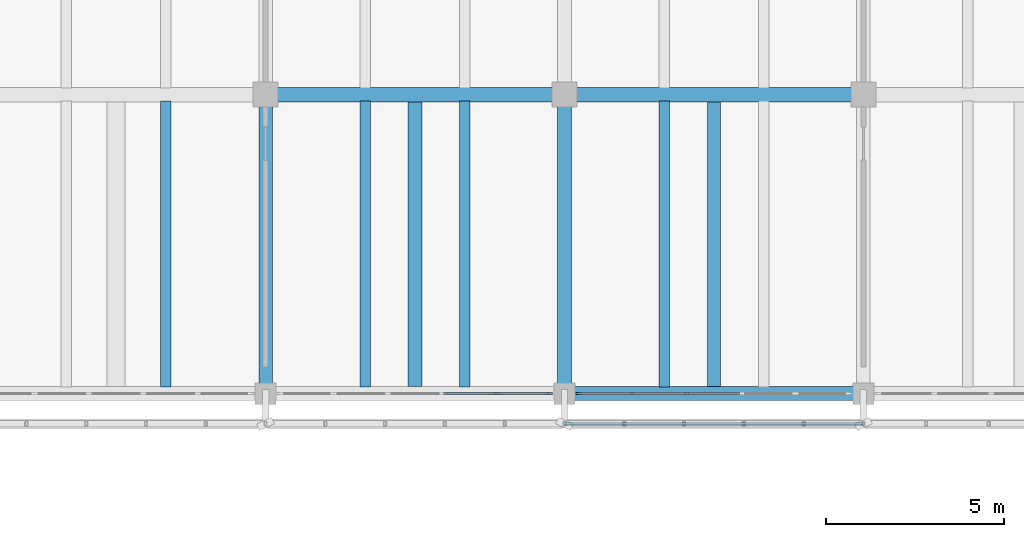
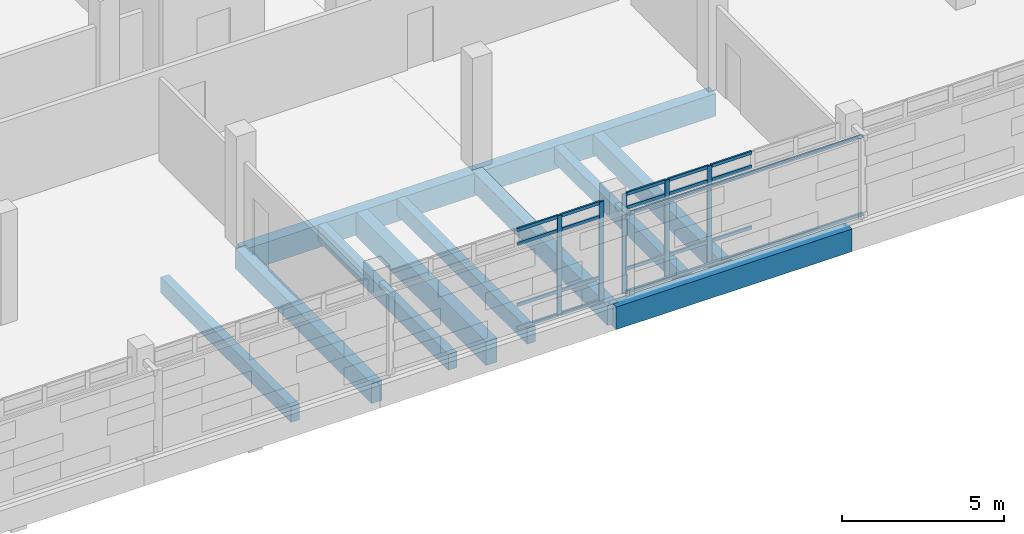
# One storey, part 47 of 137: 27 members, 11 beams, 2 elements without a shape of their own.
"""IFC4 building model written with IfcOpenShell, lengths in metres."""

from ifc_helpers import new_model, si_unit, direction, frame, origin, origin_2d, place, context, subcontext, project, spatial, rectangle, hollow_rectangle, extrude, material, material_profile, profile_set, type_object, element, aggregate, save


model = new_model("IFC4")

# Units and contexts
model_context = context("Model", 3, precision=1e-05, world=origin(), true_north=direction((0.0, 1.0)))
body_context = subcontext(model_context, "Body", "Model", "MODEL_VIEW")
ifc_project = project(units=[si_unit("LENGTHUNIT", "METRE"), si_unit("AREAUNIT", "SQUARE_METRE"), si_unit("VOLUMEUNIT", "CUBIC_METRE"), si_unit("PLANEANGLEUNIT", "RADIAN"), si_unit("MASSUNIT", "GRAM", prefix="KILO")], contexts=[model_context])

# Site, building, storey
site_placement = place(None, origin())
site = spatial("IfcSite", under=ifc_project, at=site_placement, CompositionType="ELEMENT")
building_placement = place(site_placement, origin())
building = spatial("IfcBuilding", under=site, at=building_placement, Name="Cinderway Yard Community Centre", CompositionType="ELEMENT")
storey_placement = place(building_placement, frame((0.0, 0.0, 4.800048828125)))
storey = spatial("IfcBuildingStorey", under=building, at=storey_placement, Name="L01", CompositionType="ELEMENT", Elevation=4.800048828125)

# Curtain wall, members
ifc_material_1 = material(Name="Aluminium 6063-T6", Category="aluminium")
curtain_wall_type = type_object("IfcCurtainWallType", Name="ENV-CW-TYPE-26", PredefinedType="USERDEFINED", material=ifc_material_1)
curtain_wall_1_placement = place(storey_placement, origin())
curtain_wall_1 = element("IfcCurtainWall", 1, at=curtain_wall_1_placement, inside=storey, type_object=curtain_wall_type, Name="V4 Courtyard Curtain Wall ENV-CW-L01-ST-0125", ObjectType="GLAZED CURTAIN WALL", PredefinedType="USERDEFINED")
ifc_material_profile_1 = material_profile(ifc_material_1, rectangle(XDim=0.06005859375, YDim=0.159912109375, at=origin_2d()), Name="Aluminium 6063-T6")
ifc_profile_set_1 = profile_set([ifc_material_profile_1], Name="Aluminium 6063-T6")
member_type_1 = type_object("IfcMemberType", Name="ENV-CW-MULL-150", PredefinedType="MULLION", material=ifc_profile_set_1)
member_1_placement = place(storey_placement, frame((64.89208984375, 90.0, 0.0), z_axis=(0.0, 0.0, 1.0), x_axis=(0.0, 1.0, 0.0)))
member_1 = element("IfcMember", 2, at=member_1_placement, type_object=member_type_1, Name="CW-26 mullion 5", PredefinedType="MULLION", context=body_context, shape_type="SweptSolid", body=[
    extrude(rectangle(XDim=0.06005859375, YDim=0.159912109375, at=origin_2d()), origin(), (0.0, 0.0, 1.0), 3.75),
])
member_2_placement = place(storey_placement, frame((66.389892578125, 90.0, 0.0), z_axis=(0.0, 0.0, 1.0), x_axis=(0.0, 1.0, 0.0)))
member_2 = element("IfcMember", 3, at=member_2_placement, type_object=member_type_1, Name="CW-26 mullion 6", PredefinedType="MULLION", context=body_context, shape_type="SweptSolid", body=[
    extrude(rectangle(XDim=0.06005859375, YDim=0.159912109375, at=origin_2d()), origin(), (0.0, 0.0, 1.0), 3.75),
])

curtain_wall_2_placement = place(storey_placement, origin())
curtain_wall_2 = element("IfcCurtainWall", 4, at=curtain_wall_2_placement, inside=storey, type_object=curtain_wall_type, Name="V4 Courtyard Curtain Wall ENV-CW-L01-ST-0127", ObjectType="GLAZED CURTAIN WALL", PredefinedType="USERDEFINED")
member_3_placement = place(storey_placement, frame((67.2099609375, 90.0, 0.0), z_axis=(0.0, 0.0, 1.0), x_axis=(0.0, 1.0, 0.0)))
member_3 = element("IfcMember", 5, at=member_3_placement, type_object=member_type_1, Name="CW-26 mullion 1", PredefinedType="MULLION", context=body_context, shape_type="SweptSolid", body=[
    extrude(rectangle(XDim=0.06005859375, YDim=0.159912109375, at=origin_2d()), origin(), (0.0, 0.0, 1.0), 3.75),
])
member_4_placement = place(storey_placement, frame((68.7080078125, 90.0, 0.0), z_axis=(0.0, 0.0, 1.0), x_axis=(0.0, 1.0, 0.0)))
member_4 = element("IfcMember", 6, at=member_4_placement, type_object=member_type_1, Name="CW-26 mullion 2", PredefinedType="MULLION", context=body_context, shape_type="SweptSolid", body=[
    extrude(rectangle(XDim=0.06005859375, YDim=0.159912109375, at=origin_2d()), origin(), (0.0, 0.0, 1.0), 3.75),
])
member_5_placement = place(storey_placement, frame((70.236083984375, 90.0, 0.0), z_axis=(0.0, 0.0, 1.0), x_axis=(0.0, 1.0, 0.0)))
member_5 = element("IfcMember", 7, at=member_5_placement, type_object=member_type_1, Name="CW-26 mullion 3", PredefinedType="MULLION", context=body_context, shape_type="SweptSolid", body=[
    extrude(rectangle(XDim=0.06005859375, YDim=0.159912109375, at=origin_2d()), origin(), (0.0, 0.0, 1.0), 3.75),
])

# Member
ifc_material_profile_2 = material_profile(ifc_material_1, rectangle(XDim=0.06005859375, YDim=0.1201171875, at=origin_2d()), Name="Aluminium 6063-T6")
ifc_profile_set_2 = profile_set([ifc_material_profile_2], Name="Aluminium 6063-T6")
member_type_2 = type_object("IfcMemberType", Name="ENV-CW-TRAN-110", PredefinedType="USERDEFINED", material=ifc_profile_set_2)
member_6_placement = place(storey_placement, frame((63.39404296875, 90.0, 0.030029296875), z_axis=(1.0, 0.0, 0.0), x_axis=(0.0, 1.0, 0.0)))
member_6 = element("IfcMember", 8, at=member_6_placement, type_object=member_type_2, Name="CW-26 transom 4.1", ObjectType="TRANSOM", PredefinedType="USERDEFINED", context=body_context, shape_type="SweptSolid", body=[
    extrude(rectangle(XDim=0.06005859375, YDim=0.1201171875, at=origin_2d()), origin(), (0.0, 0.0, 1.0), 1.468017578125),
])

member_7_placement = place(storey_placement, frame((63.39404296875, 90.0, 0.89990234375), z_axis=(1.0, 0.0, 0.0), x_axis=(0.0, 1.0, 0.0)))
member_7 = element("IfcMember", 9, at=member_7_placement, type_object=member_type_2, Name="CW-26 transom 4.2", ObjectType="TRANSOM", PredefinedType="USERDEFINED", context=body_context, shape_type="SweptSolid", body=[
    extrude(rectangle(XDim=0.06005859375, YDim=0.1201171875, at=origin_2d()), origin(), (0.0, 0.0, 1.0), 1.468017578125),
])

member_8_placement = place(storey_placement, frame((63.39404296875, 90.0, 3.199951171875), z_axis=(1.0, 0.0, 0.0), x_axis=(0.0, 1.0, 0.0)))
member_8 = element("IfcMember", 10, at=member_8_placement, type_object=member_type_2, Name="CW-26 transom 4.3", ObjectType="TRANSOM", PredefinedType="USERDEFINED", context=body_context, shape_type="SweptSolid", body=[
    extrude(rectangle(XDim=0.06005859375, YDim=0.1201171875, at=origin_2d()), origin(), (0.0, 0.0, 1.0), 1.468017578125),
])

member_9_placement = place(storey_placement, frame((63.39404296875, 90.0, 3.719970703125), z_axis=(1.0, 0.0, 0.0), x_axis=(0.0, 1.0, 0.0)))
member_9 = element("IfcMember", 11, at=member_9_placement, type_object=member_type_2, Name="CW-26 transom 4.4", ObjectType="TRANSOM", PredefinedType="USERDEFINED", context=body_context, shape_type="SweptSolid", body=[
    extrude(rectangle(XDim=0.06005859375, YDim=0.1201171875, at=origin_2d()), origin(), (0.0, 0.0, 1.0), 1.468017578125),
])

member_10_placement = place(storey_placement, frame((64.922119140625, 90.0, 0.030029296875), z_axis=(1.0, 0.0, 0.0), x_axis=(0.0, 1.0, 0.0)))
member_10 = element("IfcMember", 12, at=member_10_placement, type_object=member_type_2, Name="CW-26 transom 5.1", ObjectType="TRANSOM", PredefinedType="USERDEFINED", context=body_context, shape_type="SweptSolid", body=[
    extrude(rectangle(XDim=0.06005859375, YDim=0.1201171875, at=origin_2d()), origin(), (0.0, 0.0, 1.0), 1.43798828125),
])

member_11_placement = place(storey_placement, frame((64.922119140625, 90.0, 0.89990234375), z_axis=(1.0, 0.0, 0.0), x_axis=(0.0, 1.0, 0.0)))
member_11 = element("IfcMember", 13, at=member_11_placement, type_object=member_type_2, Name="CW-26 transom 5.2", ObjectType="TRANSOM", PredefinedType="USERDEFINED", context=body_context, shape_type="SweptSolid", body=[
    extrude(rectangle(XDim=0.06005859375, YDim=0.1201171875, at=origin_2d()), origin(), (0.0, 0.0, 1.0), 1.43798828125),
])

member_12_placement = place(storey_placement, frame((64.922119140625, 90.0, 3.199951171875), z_axis=(1.0, 0.0, 0.0), x_axis=(0.0, 1.0, 0.0)))
member_12 = element("IfcMember", 14, at=member_12_placement, type_object=member_type_2, Name="CW-26 transom 5.3", ObjectType="TRANSOM", PredefinedType="USERDEFINED", context=body_context, shape_type="SweptSolid", body=[
    extrude(rectangle(XDim=0.06005859375, YDim=0.1201171875, at=origin_2d()), origin(), (0.0, 0.0, 1.0), 1.43798828125),
])

member_13_placement = place(storey_placement, frame((64.922119140625, 90.0, 3.719970703125), z_axis=(1.0, 0.0, 0.0), x_axis=(0.0, 1.0, 0.0)))
member_13 = element("IfcMember", 15, at=member_13_placement, type_object=member_type_2, Name="CW-26 transom 5.4", ObjectType="TRANSOM", PredefinedType="USERDEFINED", context=body_context, shape_type="SweptSolid", body=[
    extrude(rectangle(XDim=0.06005859375, YDim=0.1201171875, at=origin_2d()), origin(), (0.0, 0.0, 1.0), 1.43798828125),
])

aggregate(curtain_wall_1, [member_1, member_2, member_6, member_7, member_8, member_9, member_10, member_11, member_12, member_13])

member_14_placement = place(storey_placement, frame((67.239990234375, 90.0, 0.030029296875), z_axis=(1.0, 0.0, 0.0), x_axis=(0.0, 1.0, 0.0)))
member_14 = element("IfcMember", 16, at=member_14_placement, type_object=member_type_2, Name="CW-26 transom 1.1", ObjectType="TRANSOM", PredefinedType="USERDEFINED", context=body_context, shape_type="SweptSolid", body=[
    extrude(rectangle(XDim=0.06005859375, YDim=0.1201171875, at=origin_2d()), origin(), (0.0, 0.0, 1.0), 1.43798828125),
])

member_15_placement = place(storey_placement, frame((67.239990234375, 90.0, 0.89990234375), z_axis=(1.0, 0.0, 0.0), x_axis=(0.0, 1.0, 0.0)))
member_15 = element("IfcMember", 17, at=member_15_placement, type_object=member_type_2, Name="CW-26 transom 1.2", ObjectType="TRANSOM", PredefinedType="USERDEFINED", context=body_context, shape_type="SweptSolid", body=[
    extrude(rectangle(XDim=0.06005859375, YDim=0.1201171875, at=origin_2d()), origin(), (0.0, 0.0, 1.0), 1.43798828125),
])

member_16_placement = place(storey_placement, frame((67.239990234375, 90.0, 3.199951171875), z_axis=(1.0, 0.0, 0.0), x_axis=(0.0, 1.0, 0.0)))
member_16 = element("IfcMember", 18, at=member_16_placement, type_object=member_type_2, Name="CW-26 transom 1.3", ObjectType="TRANSOM", PredefinedType="USERDEFINED", context=body_context, shape_type="SweptSolid", body=[
    extrude(rectangle(XDim=0.06005859375, YDim=0.1201171875, at=origin_2d()), origin(), (0.0, 0.0, 1.0), 1.43798828125),
])

member_17_placement = place(storey_placement, frame((67.239990234375, 90.0, 3.719970703125), z_axis=(1.0, 0.0, 0.0), x_axis=(0.0, 1.0, 0.0)))
member_17 = element("IfcMember", 19, at=member_17_placement, type_object=member_type_2, Name="CW-26 transom 1.4", ObjectType="TRANSOM", PredefinedType="USERDEFINED", context=body_context, shape_type="SweptSolid", body=[
    extrude(rectangle(XDim=0.06005859375, YDim=0.1201171875, at=origin_2d()), origin(), (0.0, 0.0, 1.0), 1.43798828125),
])

member_18_placement = place(storey_placement, frame((68.738037109375, 90.0, 0.030029296875), z_axis=(1.0, 0.0, 0.0), x_axis=(0.0, 1.0, 0.0)))
member_18 = element("IfcMember", 20, at=member_18_placement, type_object=member_type_2, Name="CW-26 transom 2.1", ObjectType="TRANSOM", PredefinedType="USERDEFINED", context=body_context, shape_type="SweptSolid", body=[
    extrude(rectangle(XDim=0.06005859375, YDim=0.1201171875, at=origin_2d()), origin(), (0.0, 0.0, 1.0), 1.468017578125),
])

member_19_placement = place(storey_placement, frame((68.738037109375, 90.0, 0.89990234375), z_axis=(1.0, 0.0, 0.0), x_axis=(0.0, 1.0, 0.0)))
member_19 = element("IfcMember", 21, at=member_19_placement, type_object=member_type_2, Name="CW-26 transom 2.2", ObjectType="TRANSOM", PredefinedType="USERDEFINED", context=body_context, shape_type="SweptSolid", body=[
    extrude(rectangle(XDim=0.06005859375, YDim=0.1201171875, at=origin_2d()), origin(), (0.0, 0.0, 1.0), 1.468017578125),
])

member_20_placement = place(storey_placement, frame((68.738037109375, 90.0, 3.199951171875), z_axis=(1.0, 0.0, 0.0), x_axis=(0.0, 1.0, 0.0)))
member_20 = element("IfcMember", 22, at=member_20_placement, type_object=member_type_2, Name="CW-26 transom 2.3", ObjectType="TRANSOM", PredefinedType="USERDEFINED", context=body_context, shape_type="SweptSolid", body=[
    extrude(rectangle(XDim=0.06005859375, YDim=0.1201171875, at=origin_2d()), origin(), (0.0, 0.0, 1.0), 1.468017578125),
])

member_21_placement = place(storey_placement, frame((68.738037109375, 90.0, 3.719970703125), z_axis=(1.0, 0.0, 0.0), x_axis=(0.0, 1.0, 0.0)))
member_21 = element("IfcMember", 23, at=member_21_placement, type_object=member_type_2, Name="CW-26 transom 2.4", ObjectType="TRANSOM", PredefinedType="USERDEFINED", context=body_context, shape_type="SweptSolid", body=[
    extrude(rectangle(XDim=0.06005859375, YDim=0.1201171875, at=origin_2d()), origin(), (0.0, 0.0, 1.0), 1.468017578125),
])

member_22_placement = place(storey_placement, frame((70.26611328125, 90.0, 0.030029296875), z_axis=(1.0, 0.0, 0.0), x_axis=(0.0, 1.0, 0.0)))
member_22 = element("IfcMember", 24, at=member_22_placement, type_object=member_type_2, Name="CW-26 transom 3.1", ObjectType="TRANSOM", PredefinedType="USERDEFINED", context=body_context, shape_type="SweptSolid", body=[
    extrude(rectangle(XDim=0.06005859375, YDim=0.1201171875, at=origin_2d()), origin(), (0.0, 0.0, 1.0), 1.4677734375),
])

member_23_placement = place(storey_placement, frame((70.26611328125, 90.0, 0.89990234375), z_axis=(1.0, 0.0, 0.0), x_axis=(0.0, 1.0, 0.0)))
member_23 = element("IfcMember", 25, at=member_23_placement, type_object=member_type_2, Name="CW-26 transom 3.2", ObjectType="TRANSOM", PredefinedType="USERDEFINED", context=body_context, shape_type="SweptSolid", body=[
    extrude(rectangle(XDim=0.06005859375, YDim=0.1201171875, at=origin_2d()), origin(), (0.0, 0.0, 1.0), 1.4677734375),
])

member_24_placement = place(storey_placement, frame((70.26611328125, 90.0, 3.199951171875), z_axis=(1.0, 0.0, 0.0), x_axis=(0.0, 1.0, 0.0)))
member_24 = element("IfcMember", 26, at=member_24_placement, type_object=member_type_2, Name="CW-26 transom 3.3", ObjectType="TRANSOM", PredefinedType="USERDEFINED", context=body_context, shape_type="SweptSolid", body=[
    extrude(rectangle(XDim=0.06005859375, YDim=0.1201171875, at=origin_2d()), origin(), (0.0, 0.0, 1.0), 1.4677734375),
])

member_25_placement = place(storey_placement, frame((70.26611328125, 90.0, 3.719970703125), z_axis=(1.0, 0.0, 0.0), x_axis=(0.0, 1.0, 0.0)))
member_25 = element("IfcMember", 27, at=member_25_placement, type_object=member_type_2, Name="CW-26 transom 3.4", ObjectType="TRANSOM", PredefinedType="USERDEFINED", context=body_context, shape_type="SweptSolid", body=[
    extrude(rectangle(XDim=0.06005859375, YDim=0.1201171875, at=origin_2d()), origin(), (0.0, 0.0, 1.0), 1.4677734375),
])

aggregate(curtain_wall_2, [member_3, member_4, member_5, member_14, member_15, member_16, member_17, member_18, member_19, member_20, member_21, member_22, member_23, member_24, member_25])

# Members
ifc_material_2 = material(Name="Steel S355", Category="steel")
ifc_material_profile_3 = material_profile(ifc_material_2, hollow_rectangle(XDim=0.080078125, YDim=0.1201171875, WallThickness=0.00634765625, InnerFilletRadius=0.00634765625, OuterFilletRadius=0.0126953125, at=origin_2d()), Name="Steel S355")
ifc_profile_set_3 = profile_set([ifc_material_profile_3], Name="Steel S355")
member_type_3 = type_object("IfcMemberType", Name="ENV-MEM-SCREEN-RAIL-120", PredefinedType="STRINGER", material=ifc_profile_set_3)
for number, where, z_axis, x_axis, name in (
    (28, (66.800048828125, 89.14990234375, 0.7099609375), (1.0, 0.0, 0.0), (0.0, 1.0, 0.0), "Screen support rail 0342-BOT"),
    (29, (66.800048828125, 89.14990234375, 3.639892578125), (1.0, 0.0, 0.0), (0.0, 1.0, 0.0), "Screen support rail 0343-TOP"),
):
    element("IfcMember", number, at=place(storey_placement, frame(where, z_axis=z_axis, x_axis=x_axis)), inside=storey, type_object=member_type_3, Name=name, PredefinedType="STRINGER", context=body_context, shape_type="SweptSolid", body=[
        extrude(hollow_rectangle(XDim=0.080078125, YDim=0.1201171875, WallThickness=0.00634765625, InnerFilletRadius=0.00634765625, OuterFilletRadius=0.0126953125, at=origin_2d()), origin(), (0.0, 0.0, 1.0), 8.39990234375),
    ])

# Beams
ifc_material_3 = material(Name="Concrete C35/45", Category="concrete")
ifc_material_profile_4 = material_profile(ifc_material_3, rectangle(XDim=0.300048828125, YDim=0.60009765625, at=origin_2d()), Name="Concrete C35/45")
ifc_profile_set_4 = profile_set([ifc_material_profile_4], Name="Concrete C35/45")
beam_type_1 = type_object("IfcBeamType", Name="STR-BM-RC300X600", PredefinedType="JOIST", material=ifc_profile_set_4)
for number, where, z_axis, x_axis, name in (
    (30, (55.60009765625, 90.181884765625, -0.56005859375), (0.0, 1.0, 0.0), (-1.0, 0.0, 0.0), "Secondary joist STR-BM-L01-BJ02-0266"),
    (31, (61.199951171875, 90.181884765625, -0.56005859375), (0.0, 1.0, 0.0), (-1.0, 0.0, 0.0), "Secondary joist STR-BM-L01-BJ02-0271"),
    (32, (64.0, 90.181884765625, -0.56005859375), (0.0, 1.0, 0.0), (-1.0, 0.0, 0.0), "Secondary joist STR-BM-L01-BJ02-0272"),
    (33, (69.60009765625, 90.181884765625, -0.56005859375), (0.0, 1.0, 0.0), (-1.0, 0.0, 0.0), "Secondary joist STR-BM-L01-BJ02-0275"),
):
    element("IfcBeam", number, at=place(storey_placement, frame(where, z_axis=z_axis, x_axis=x_axis)), inside=storey, type_object=beam_type_1, Name=name, PredefinedType="JOIST", context=body_context, shape_type="SweptSolid", body=[
        extrude(rectangle(XDim=0.300048828125, YDim=0.60009765625, at=origin_2d()), origin(), (0.0, 0.0, 1.0), 8.0361328125),
    ])
ifc_material_profile_5 = material_profile(ifc_material_3, rectangle(XDim=0.360107421875, YDim=0.719970703125, at=origin_2d()), Name="Concrete C35/45")
ifc_profile_set_5 = profile_set([ifc_material_profile_5], Name="Concrete C35/45")
beam_type_2 = type_object("IfcBeamType", Name="STR-BM-RC360X720", PredefinedType="BEAM", material=ifc_profile_set_5)
beam_1_placement = place(storey_placement, frame((71.0, 90.199951171875, -0.6201171875), z_axis=(0.0, 1.0, 0.0), x_axis=(-1.0, 0.0, 0.0)))
element("IfcBeam", 34, at=beam_1_placement, inside=storey, type_object=beam_type_2, Name="Mid-bay secondary beam STR-BM-L01-BG09-1165", PredefinedType="BEAM", context=body_context, shape_type="SweptSolid", body=[
    extrude(rectangle(XDim=0.360107421875, YDim=0.719970703125, at=origin_2d()), origin(), (0.0, 0.0, 1.0), 8.0),
])
ifc_material_profile_6 = material_profile(ifc_material_3, rectangle(XDim=0.3798828125, YDim=0.75, at=origin_2d()), Name="Concrete C35/45")
ifc_profile_set_6 = profile_set([ifc_material_profile_6], Name="Concrete C35/45")
beam_type_3 = type_object("IfcBeamType", Name="STR-BM-RC380X750", PredefinedType="BEAM", material=ifc_profile_set_6)
for number, where, z_axis, x_axis, name in (
    (35, (58.39990234375, 90.0, -0.635009765625), (0.0, 1.0, 0.0), (-1.0, 0.0, 0.0), "Transverse girder STR-BM-L01-BG06-0226"),
    (36, (66.800048828125, 90.0, -0.635009765625), (0.0, 1.0, 0.0), (-1.0, 0.0, 0.0), "Transverse girder STR-BM-L01-BG06-0229"),
):
    element("IfcBeam", number, at=place(storey_placement, frame(where, z_axis=z_axis, x_axis=x_axis)), inside=storey, type_object=beam_type_3, Name=name, PredefinedType="BEAM", context=body_context, shape_type="SweptSolid", body=[
        extrude(rectangle(XDim=0.3798828125, YDim=0.75, at=origin_2d()), origin(), (0.0, 0.0, 1.0), 8.39990234375),
    ])
ifc_material_4 = material(Name="Concrete C40/50", Category="concrete")
ifc_material_profile_7 = material_profile(ifc_material_4, rectangle(XDim=0.39990234375, YDim=0.85009765625, at=origin_2d()), Name="Concrete C40/50")
ifc_profile_set_7 = profile_set([ifc_material_profile_7], Name="Concrete C40/50")
beam_type_4 = type_object("IfcBeamType", Name="STR-BM-RC400X850", PredefinedType="BEAM", material=ifc_profile_set_7)
beam_2_placement = place(storey_placement, frame((66.800048828125, 90.0, -0.68505859375), z_axis=(1.0, 0.0, 0.0), x_axis=(0.0, 1.0, 0.0)))
element("IfcBeam", 37, at=beam_2_placement, inside=storey, type_object=beam_type_4, Name="Primary girder STR-BM-L01-BG04-0175", PredefinedType="BEAM", context=body_context, shape_type="SweptSolid", body=[
    extrude(rectangle(XDim=0.39990234375, YDim=0.85009765625, at=origin_2d()), origin(), (0.0, 0.0, 1.0), 8.39990234375),
])
beam_3_placement = place(storey_placement, frame((58.39990234375, 98.39990234375, -0.68505859375), z_axis=(1.0, 0.0, 0.0), x_axis=(0.0, 1.0, 0.0)))
element("IfcBeam", 38, at=beam_3_placement, inside=storey, type_object=beam_type_4, Name="Primary girder STR-BM-L01-BG04-0186", PredefinedType="BEAM", context=body_context, shape_type="SweptSolid", body=[
    extrude(rectangle(XDim=0.39990234375, YDim=0.85009765625, at=origin_2d()), origin(), (0.0, 0.0, 1.0), 8.400146484375),
])
beam_4_placement = place(storey_placement, frame((66.800048828125, 98.39990234375, -0.68505859375), z_axis=(1.0, 0.0, 0.0), x_axis=(0.0, 1.0, 0.0)))
element("IfcBeam", 39, at=beam_4_placement, inside=storey, type_object=beam_type_4, Name="Primary girder STR-BM-L01-BG04-0187", PredefinedType="BEAM", context=body_context, shape_type="SweptSolid", body=[
    extrude(rectangle(XDim=0.39990234375, YDim=0.85009765625, at=origin_2d()), origin(), (0.0, 0.0, 1.0), 8.39990234375),
])
ifc_material_profile_8 = material_profile(ifc_material_4, rectangle(XDim=0.39990234375, YDim=0.89990234375, at=origin_2d()), Name="Concrete C40/50")
ifc_profile_set_8 = profile_set([ifc_material_profile_8], Name="Concrete C40/50")
beam_type_5 = type_object("IfcBeamType", Name="STR-BM-RC400X900", PredefinedType="BEAM", material=ifc_profile_set_8)
beam_5_placement = place(storey_placement, frame((62.60009765625, 90.199951171875, -0.7099609375), z_axis=(0.0, 1.0, 0.0), x_axis=(-1.0, 0.0, 0.0)))
element("IfcBeam", 40, at=beam_5_placement, inside=storey, type_object=beam_type_5, Name="Mid-bay secondary beam STR-BM-L01-BG03-1164", PredefinedType="BEAM", context=body_context, shape_type="SweptSolid", body=[
    extrude(rectangle(XDim=0.39990234375, YDim=0.89990234375, at=origin_2d()), origin(), (0.0, 0.0, 1.0), 8.0),
])

save(model, "model.ifc")
